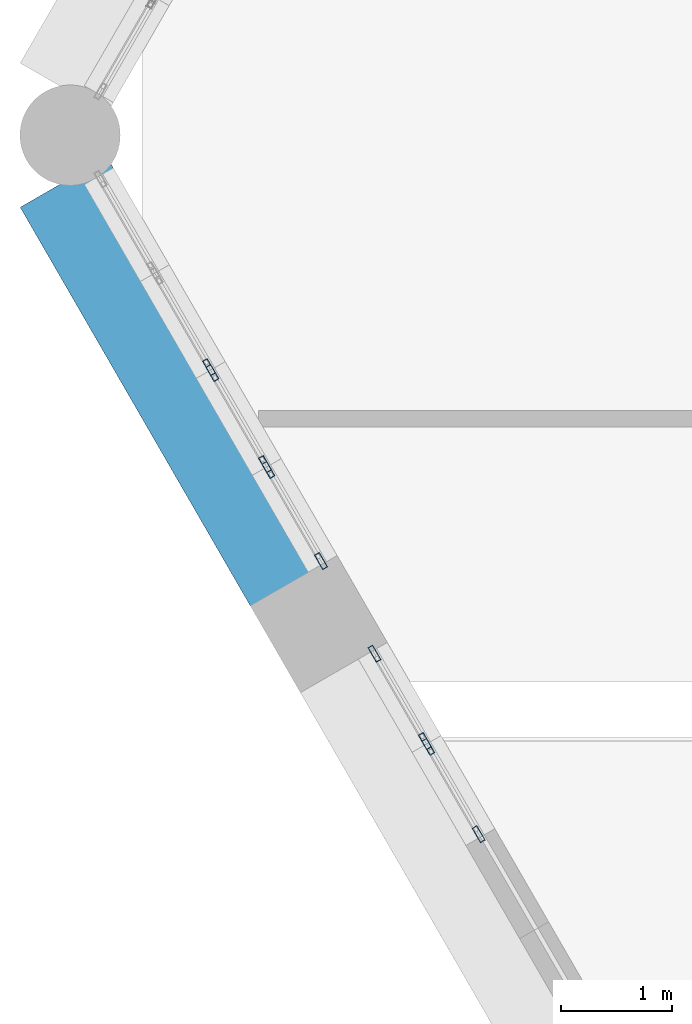
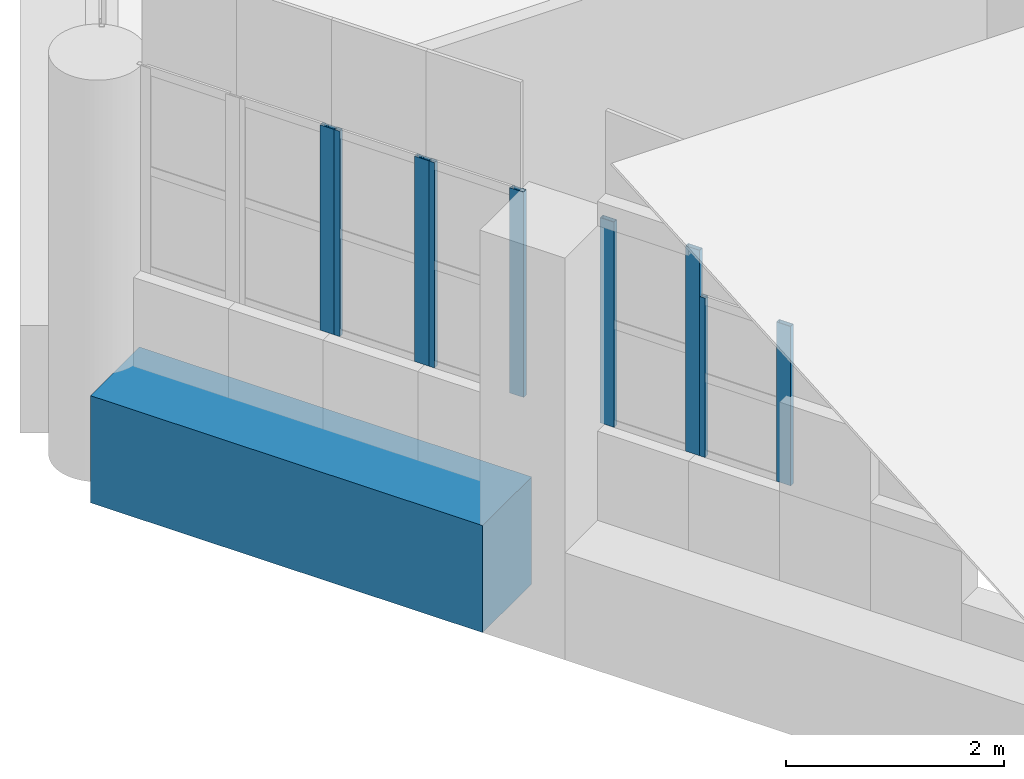
# One storey, part 2 of 23: 9 members, 1 beam, 5 elements without a shape of their own.
"""IFC4 building model written with IfcOpenShell, lengths in metres."""

from ifc_helpers import new_model, si_unit, direction, frame, origin, origin_2d, place, context, subcontext, project, spatial, rectangle, hollow_rectangle, extrude, material, material_profile, profile_set, type_object, element, aggregate, save


model = new_model("IFC4")

# Units and contexts
model_context = context("Model", 3, precision=1e-05, world=origin(), true_north=direction((0.0, 1.0)))
body_context = subcontext(model_context, "Body", "Model", "MODEL_VIEW")
ifc_project = project(units=[si_unit("LENGTHUNIT", "METRE"), si_unit("AREAUNIT", "SQUARE_METRE"), si_unit("VOLUMEUNIT", "CUBIC_METRE"), si_unit("PLANEANGLEUNIT", "RADIAN"), si_unit("MASSUNIT", "GRAM", prefix="KILO")], contexts=[model_context])

# Site, building, storey
site_placement = place(None, origin())
site = spatial("IfcSite", under=ifc_project, at=site_placement, CompositionType="ELEMENT")
building_placement = place(site_placement, origin())
building = spatial("IfcBuilding", under=site, at=building_placement, Name="Ostrander Bayou Hotel Tower", CompositionType="ELEMENT")
storey_placement = place(building_placement, frame((0.0, 0.0, 279.5)))
storey = spatial("IfcBuildingStorey", under=building, at=storey_placement, Name="L69", CompositionType="ELEMENT", Elevation=279.5)

# Curtain wall, member
ifc_material_1 = material(Name="Aluminium and clear glass", Category="aluminium")
curtain_wall_type = type_object("IfcCurtainWallType", Name="CW-CROWN glazed wall", PredefinedType="NOTDEFINED", material=ifc_material_1)
curtain_wall_1_placement = place(storey_placement, origin())
curtain_wall_1 = element("IfcCurtainWall", 1, at=curtain_wall_1_placement, inside=storey, type_object=curtain_wall_type, Name="CW-CROWN L69:SW-1-2", PredefinedType="NOTDEFINED")
ifc_material_2 = material(Name="Aluminium", Category="aluminium")
ifc_material_profile_1 = material_profile(ifc_material_2, hollow_rectangle(XDim=0.050048828125, YDim=0.14990234375, WallThickness=0.00390625, at=origin_2d()))
ifc_profile_set_1 = profile_set([ifc_material_profile_1], Name="Aluminium")
member_type = type_object("IfcMemberType", Name="CW-CR mullion 50 x 150 mm", PredefinedType="MULLION", material=ifc_profile_set_1)
member_1_placement = place(storey_placement, frame((-17.2412109375, -3.2373046875, 1.0), z_axis=(0.0, 0.0, 1.0), x_axis=(0.866021344042, 0.500007031615, 0.0)))
member_1 = element("IfcMember", 2, at=member_1_placement, type_object=member_type, Name="CW-CROWN mullion 2", PredefinedType="MULLION", context=body_context, shape_type="SweptSolid", body=[
    extrude(hollow_rectangle(XDim=0.050048828125, YDim=0.14990234375, WallThickness=0.00390625, at=origin_2d()), origin(), (0.0, 0.0, 1.0), 2.300048828125),
])
aggregate(curtain_wall_1, [member_1])

# Curtain wall, members
curtain_wall_2_placement = place(storey_placement, origin())
curtain_wall_2 = element("IfcCurtainWall", 3, at=curtain_wall_2_placement, inside=storey, type_object=curtain_wall_type, Name="CW-CROWN L69:SW-1-3", PredefinedType="NOTDEFINED")
member_2_placement = place(storey_placement, frame((-17.211181640625, -3.289306640625, 1.0), z_axis=(0.0, 0.0, 1.0), x_axis=(0.866046247237, 0.499963896343, 0.0)))
member_2 = element("IfcMember", 4, at=member_2_placement, type_object=member_type, Name="CW-CROWN mullion 1", PredefinedType="MULLION", context=body_context, shape_type="SweptSolid", body=[
    extrude(hollow_rectangle(XDim=0.050048828125, YDim=0.14990234375, WallThickness=0.00390625, at=origin_2d()), origin(), (0.0, 0.0, 1.0), 2.300048828125),
])
member_3_placement = place(storey_placement, frame((-16.7392578125, -4.106689453125, 1.0), z_axis=(0.0, 0.0, 1.0), x_axis=(0.866046247237, 0.499963896343, 0.0)))
member_3 = element("IfcMember", 5, at=member_3_placement, type_object=member_type, Name="CW-CROWN mullion 2", PredefinedType="MULLION", context=body_context, shape_type="SweptSolid", body=[
    extrude(hollow_rectangle(XDim=0.050048828125, YDim=0.14990234375, WallThickness=0.00390625, at=origin_2d()), origin(), (0.0, 0.0, 1.0), 2.300048828125),
])
aggregate(curtain_wall_2, [member_2, member_3])

curtain_wall_3_placement = place(storey_placement, origin())
curtain_wall_3 = element("IfcCurtainWall", 6, at=curtain_wall_3_placement, inside=storey, type_object=curtain_wall_type, Name="CW-CROWN L69:SW-1-4", PredefinedType="NOTDEFINED")
member_4_placement = place(storey_placement, frame((-16.709228515625, -4.15869140625, 1.0), z_axis=(0.0, 0.0, 1.0), x_axis=(0.866021344042, 0.500007031615, 0.0)))
member_4 = element("IfcMember", 7, at=member_4_placement, type_object=member_type, Name="CW-CROWN mullion 1", PredefinedType="MULLION", context=body_context, shape_type="SweptSolid", body=[
    extrude(hollow_rectangle(XDim=0.050048828125, YDim=0.14990234375, WallThickness=0.00390625, at=origin_2d()), origin(), (0.0, 0.0, 1.0), 2.300048828125),
])
member_5_placement = place(storey_placement, frame((-16.2373046875, -4.97607421875, 1.0), z_axis=(0.0, 0.0, 1.0), x_axis=(0.866021344042, 0.500007031615, 0.0)))
member_5 = element("IfcMember", 8, at=member_5_placement, type_object=member_type, Name="CW-CROWN mullion 2", PredefinedType="MULLION", context=body_context, shape_type="SweptSolid", body=[
    extrude(hollow_rectangle(XDim=0.050048828125, YDim=0.14990234375, WallThickness=0.00390625, at=origin_2d()), origin(), (0.0, 0.0, 1.0), 2.300048828125),
])
aggregate(curtain_wall_3, [member_4, member_5])

curtain_wall_4_placement = place(storey_placement, origin())
curtain_wall_4 = element("IfcCurtainWall", 9, at=curtain_wall_4_placement, inside=storey, type_object=curtain_wall_type, Name="CW-CROWN L69:SW-2-1", PredefinedType="NOTDEFINED")
member_6_placement = place(storey_placement, frame((-15.75732421875, -5.807373046875, 1.0), z_axis=(0.0, 0.0, 1.0), x_axis=(0.86601469901, 0.500018540754, 0.0)))
member_6 = element("IfcMember", 10, at=member_6_placement, type_object=member_type, Name="CW-CROWN mullion 1", PredefinedType="MULLION", context=body_context, shape_type="SweptSolid", body=[
    extrude(hollow_rectangle(XDim=0.050048828125, YDim=0.14990234375, WallThickness=0.00390625, at=origin_2d()), origin(), (0.0, 0.0, 1.0), 2.300048828125),
])
member_7_placement = place(storey_placement, frame((-15.304931640625, -6.5908203125, 1.0), z_axis=(0.0, 0.0, 1.0), x_axis=(0.86601469901, 0.500018540754, 0.0)))
member_7 = element("IfcMember", 11, at=member_7_placement, type_object=member_type, Name="CW-CROWN mullion 2", PredefinedType="MULLION", context=body_context, shape_type="SweptSolid", body=[
    extrude(hollow_rectangle(XDim=0.050048828125, YDim=0.14990234375, WallThickness=0.00390625, at=origin_2d()), origin(), (0.0, 0.0, 1.0), 2.300048828125),
])
aggregate(curtain_wall_4, [member_6, member_7])

curtain_wall_5_placement = place(storey_placement, origin())
curtain_wall_5 = element("IfcCurtainWall", 12, at=curtain_wall_5_placement, inside=storey, type_object=curtain_wall_type, Name="CW-CROWN L69:SW-2-2", PredefinedType="NOTDEFINED")
member_8_placement = place(storey_placement, frame((-15.27490234375, -6.642822265625, 1.0), z_axis=(0.0, 0.0, 1.0), x_axis=(0.866040610507, 0.499973660258, 0.0)))
member_8 = element("IfcMember", 13, at=member_8_placement, type_object=member_type, Name="CW-CROWN mullion 1", PredefinedType="MULLION", context=body_context, shape_type="SweptSolid", body=[
    extrude(hollow_rectangle(XDim=0.050048828125, YDim=0.14990234375, WallThickness=0.00390625, at=origin_2d()), origin(), (0.0, 0.0, 1.0), 1.785888671875),
])
member_9_placement = place(storey_placement, frame((-14.822509765625, -7.426513671875, 1.0), z_axis=(0.0, 0.0, 1.0), x_axis=(0.866040610507, 0.499973660258, 0.0)))
member_9 = element("IfcMember", 14, at=member_9_placement, type_object=member_type, Name="CW-CROWN mullion 2", PredefinedType="MULLION", context=body_context, shape_type="SweptSolid", body=[
    extrude(hollow_rectangle(XDim=0.050048828125, YDim=0.14990234375, WallThickness=0.00390625, at=origin_2d()), origin(), (0.0, 0.0, 1.0), 1.785888671875),
])
aggregate(curtain_wall_5, [member_8, member_9])

# Beam
ifc_material_3 = material(Name="Concrete f'c 60 MPa", Category="concrete")
ifc_material_profile_2 = material_profile(ifc_material_3, rectangle(XDim=0.89990234375, YDim=1.199951171875, at=origin_2d()))
ifc_profile_set_2 = profile_set([ifc_material_profile_2], Name="Concrete f'c 60 MPa")
beam_type = type_object("IfcBeamType", Name="SP4 spandrel beam 900 x 1200 mm f'c 60 MPa", PredefinedType="SPANDREL", material=ifc_profile_set_2)
beam_placement = place(storey_placement, frame((-18.54541015625, -1.578369140625, -0.60009765625), z_axis=(0.499980071345, -0.866036909293, 0.0), x_axis=(0.866036909293, 0.499980071345, 0.0)))
element("IfcBeam", 15, at=beam_placement, inside=storey, type_object=beam_type, Name="SP4 L69 SW-1", PredefinedType="SPANDREL", context=body_context, shape_type="SweptSolid", body=[
    extrude(rectangle(XDim=0.89990234375, YDim=1.199951171875, at=origin_2d()), origin(), (0.0, 0.0, 1.0), 4.156494140625),
])

save(model, "model.ifc")
